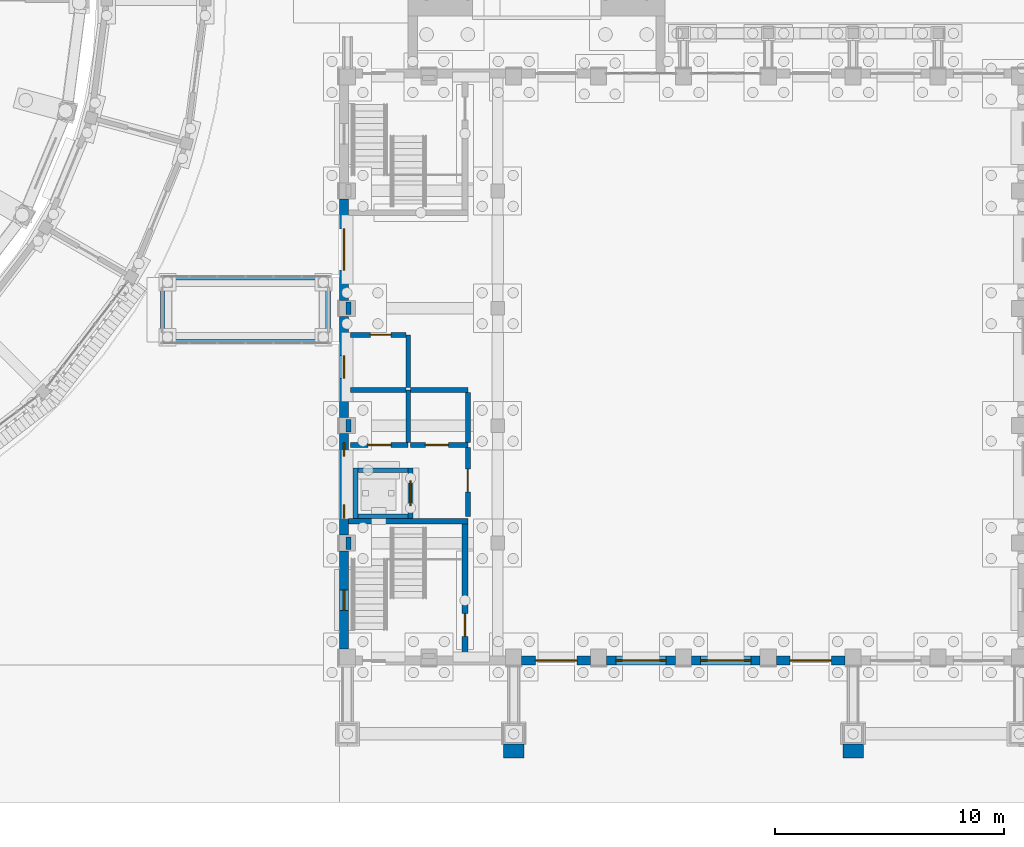
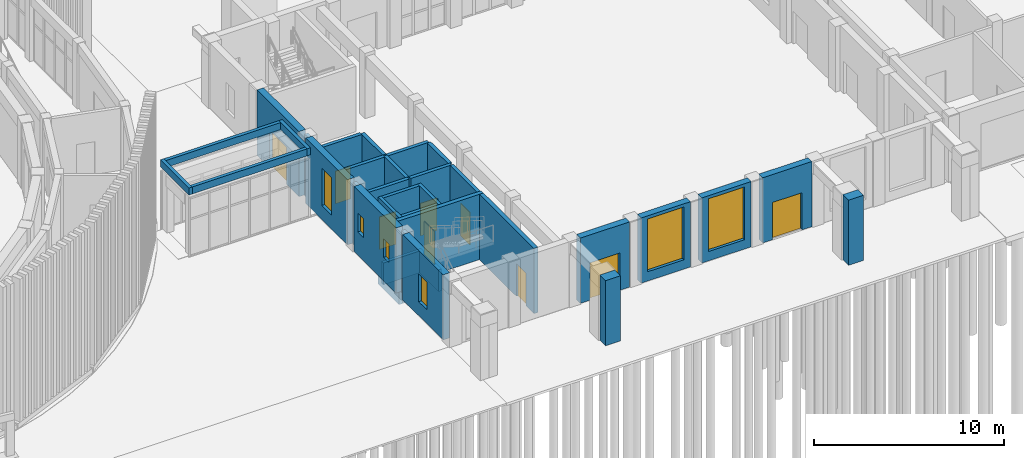
# One storey, part 63 of 112: 36 walls, 9 doors, 6 windows, 15 openings.
"""IFC4 building model written with IfcOpenShell, lengths in metres."""

from ifc_helpers import new_model, si_unit, direction, frame, frame_2d, origin, place, context, subcontext, project, spatial, rectangle, extrude, material, layer, layer_set, type_object, element, fill, save


model = new_model("IFC4")

# Units and contexts
model_context = context("Model", 3, precision=1e-05, world=origin(), true_north=direction((0.0, 1.0)))
body_context = subcontext(model_context, "Body", "Model", "MODEL_VIEW")
ifc_project = project(units=[si_unit("LENGTHUNIT", "METRE"), si_unit("AREAUNIT", "SQUARE_METRE"), si_unit("VOLUMEUNIT", "CUBIC_METRE"), si_unit("PLANEANGLEUNIT", "RADIAN"), si_unit("MASSUNIT", "GRAM", prefix="KILO")], contexts=[model_context])

# Site, building, storey
site_placement = place(None, origin())
site = spatial("IfcSite", under=ifc_project, at=site_placement, CompositionType="ELEMENT")
building_placement = place(site_placement, origin())
building = spatial("IfcBuilding", under=site, at=building_placement, Name="Wasatch Bagh Community Centre", CompositionType="ELEMENT")
storey_placement = place(building_placement, origin())
storey = spatial("IfcBuildingStorey", under=building, at=storey_placement, Name="L00", CompositionType="ELEMENT", Elevation=0.0)

# Walls
ifc_material_1 = material(Name="Concrete C40", Category="concrete")
ifc_layer_1 = layer(ifc_material_1, 0.60009765625)
ifc_layer_set_1 = layer_set([ifc_layer_1], Name="Concrete C40")
wall_type_1 = type_object("IfcWallType", Name="CL-W4", PredefinedType="STANDARD", material=ifc_layer_set_1)
for number, where, z_axis, x_axis, name in (
    (1, (73.14990234375, 2.25, 0.0), (0.0, 0.0, 1.0), (1.0, 0.0, 0.0), "CL-W4 pier buttress DHP2"),
    (2, (87.949951171875, 2.25, 0.0), (0.0, 0.0, 1.0), (1.0, 0.0, 0.0), "CL-W4 pier buttress DHP3"),
):
    element("IfcWall", number, at=place(storey_placement, frame(where, z_axis=z_axis, x_axis=x_axis)), inside=storey, type_object=wall_type_1, Name=name, PredefinedType="STANDARD", context=body_context, shape_type="SweptSolid", body=[
        extrude(rectangle(XDim=0.900146484375, YDim=0.60009765625, at=frame_2d((0.4501953125, 0.0))), origin(), (0.0, 0.0, 1.0), 4.199951171875),
    ])
ifc_layer_2 = layer(ifc_material_1, 0.199951171875)
ifc_layer_set_2 = layer_set([ifc_layer_2], Name="Concrete C40")
wall_type_2 = type_object("IfcWallType", Name="DH RC WALL 200 shear", PredefinedType="SHEAR", material=ifc_layer_set_2)
wall_1_placement = place(storey_placement, frame((66.699951171875, 12.39990234375, 0.0), z_axis=(0.0, 0.0, 1.0), x_axis=(0.0, 1.0, 0.0)))
element("IfcWall", 3, at=wall_1_placement, inside=storey, type_object=wall_type_2, Name="DH.core.LF4.L00.W", PredefinedType="SHEAR", context=body_context, shape_type="SweptSolid", body=[
    extrude(rectangle(XDim=2.2001953125, YDim=0.199951171875, at=frame_2d((1.10009765625, 0.0))), origin(), (0.0, 0.0, 1.0), 4.199951171875),
])

# Wall, opening, door
wall_2_placement = place(storey_placement, frame((69.10009765625, 12.39990234375, 0.0), z_axis=(0.0, 0.0, 1.0), x_axis=(0.0, 1.0, 0.0)))
wall_2 = element("IfcWall", 4, at=wall_2_placement, inside=storey, type_object=wall_type_2, Name="DH.core.LF4.L00.E", PredefinedType="SHEAR", context=body_context, shape_type="SweptSolid", body=[
    extrude(rectangle(XDim=2.2001953125, YDim=0.199951171875, at=frame_2d((1.10009765625, 0.0))), origin(), (0.0, 0.0, 1.0), 4.199951171875),
])
opening_1_placement = place(wall_2_placement, frame((0.550048828125, 0.0, 0.0)))
opening_1 = element("IfcOpeningElement", 5, at=opening_1_placement, cuts=wall_2, Name="Opening 0D-10", PredefinedType="OPENING", context=body_context, shape_type="SweptSolid", body=[
    extrude(rectangle(XDim=1.10009765625, YDim=2.10009765625, at=frame_2d((0.550048828125, 1.050048828125))), frame((0.0, 0.10986328125, 0.0), z_axis=(0.0, -1.0, 0.0), x_axis=(1.0, 0.0, 0.0)), (0.0, 0.0, 1.0), 0.219970703125),
])
ifc_material_2 = material(Name="Stainless steel", Category="steel")
door_type_1 = type_object("IfcDoorType", Name="DH door 1100x2100 landing", OperationType="SLIDING_TO_LEFT", PredefinedType="DOOR", material=ifc_material_2)
door_1_placement = place(opening_1_placement, origin())
door_1 = element("IfcDoor", 6, at=door_1_placement, inside=storey, type_object=door_type_1, Name="DH.door.L00.0D-10", OperationType="SLIDING_TO_LEFT", OverallHeight=2.10009765625, OverallWidth=1.10009765625, PredefinedType="DOOR", context=body_context, shape_type="SweptSolid", body=[
    extrude(rectangle(XDim=1.10009765625, YDim=2.10009765625, at=frame_2d((0.550048828125, 1.050048828125))), frame((0.0, 0.02490234375, 0.0), z_axis=(0.0, -1.0, 0.0), x_axis=(1.0, 0.0, 0.0)), (0.0, 0.0, 1.0), 0.050048828125),
])
fill(opening_1, door_1)

# Walls
for number, where, z_axis, x_axis, name in (
    (7, (66.800048828125, 12.5, 0.0), (0.0, 0.0, 1.0), (1.0, 0.0, 0.0), "DH.core.LF4.L00.S"),
    (8, (66.800048828125, 14.5, 0.0), (0.0, 0.0, 1.0), (1.0, 0.0, 0.0), "DH.core.LF4.L00.N"),
):
    element("IfcWall", number, at=place(storey_placement, frame(where, z_axis=z_axis, x_axis=x_axis)), inside=storey, type_object=wall_type_2, Name=name, PredefinedType="SHEAR", context=body_context, shape_type="SweptSolid", body=[
        extrude(rectangle(XDim=2.199951171875, YDim=0.199951171875, at=frame_2d((1.10009765625, 0.0))), origin(), (0.0, 0.0, 1.0), 4.199951171875),
    ])
for number, where, z_axis, x_axis, name in (
    (9, (66.699951171875, 12.39990234375, -1.39990234375), (0.0, 0.0, 1.0), (0.0, 1.0, 0.0), "DH.core.LF4.PIT.W"),
    (10, (69.10009765625, 12.39990234375, -1.39990234375), (0.0, 0.0, 1.0), (0.0, 1.0, 0.0), "DH.core.LF4.PIT.E"),
):
    element("IfcWall", number, at=place(storey_placement, frame(where, z_axis=z_axis, x_axis=x_axis)), inside=storey, type_object=wall_type_2, Name=name, PredefinedType="SHEAR", context=body_context, shape_type="SweptSolid", body=[
        extrude(rectangle(XDim=2.2001953125, YDim=0.199951171875, at=frame_2d((1.10009765625, 0.0))), origin(), (0.0, 0.0, 1.0), 1.39990234375),
    ])
for number, where, z_axis, x_axis, name in (
    (11, (66.800048828125, 12.5, -1.39990234375), (0.0, 0.0, 1.0), (1.0, 0.0, 0.0), "DH.core.LF4.PIT.S"),
    (12, (66.800048828125, 14.5, -1.39990234375), (0.0, 0.0, 1.0), (1.0, 0.0, 0.0), "DH.core.LF4.PIT.N"),
):
    element("IfcWall", number, at=place(storey_placement, frame(where, z_axis=z_axis, x_axis=x_axis)), inside=storey, type_object=wall_type_2, Name=name, PredefinedType="SHEAR", context=body_context, shape_type="SweptSolid", body=[
        extrude(rectangle(XDim=2.199951171875, YDim=0.199951171875, at=frame_2d((1.10009765625, 0.0))), origin(), (0.0, 0.0, 1.0), 1.39990234375),
    ])

# Wall, opening, door
ifc_layer_3 = layer(ifc_material_1, 0.25)
ifc_layer_set_3 = layer_set([ifc_layer_3], Name="Concrete C40")
wall_type_3 = type_object("IfcWallType", Name="DH RC WALL 250 shear", PredefinedType="SHEAR", material=ifc_layer_set_3)
wall_3_placement = place(storey_placement, frame((71.47509765625, 6.39990234375, 0.0), z_axis=(0.0, 0.0, 1.0), x_axis=(0.0, 1.0, 0.0)))
wall_3 = element("IfcWall", 13, at=wall_3_placement, inside=storey, type_object=wall_type_3, Name="DH.core.ST6.L00.E", PredefinedType="SHEAR", context=body_context, shape_type="SweptSolid", body=[
    extrude(rectangle(XDim=5.75, YDim=0.25, at=frame_2d((2.875, 0.0))), origin(), (0.0, 0.0, 1.0), 4.199951171875),
])
opening_2_placement = place(wall_3_placement, frame((0.85009765625, 0.0, 0.0)))
opening_2 = element("IfcOpeningElement", 14, at=opening_2_placement, cuts=wall_3, Name="Opening 0D-11", PredefinedType="OPENING", context=body_context, shape_type="SweptSolid", body=[
    extrude(rectangle(XDim=1.0, YDim=2.10009765625, at=frame_2d((0.5, 1.050048828125))), frame((0.0, 0.135009765625, 0.0), z_axis=(0.0, -1.0, 0.0), x_axis=(1.0, 0.0, 0.0)), (0.0, 0.0, 1.0), 0.27001953125),
])
ifc_material_3 = material(Name="Painted hardwood timber", Category="wood")
door_type_2 = type_object("IfcDoorType", Name="DH door 1000x2100 single", OperationType="SINGLE_SWING_LEFT", PredefinedType="DOOR", material=ifc_material_3)
door_2_placement = place(opening_2_placement, origin())
door_2 = element("IfcDoor", 15, at=door_2_placement, inside=storey, type_object=door_type_2, Name="DH.door.L00.0D-11", OperationType="SINGLE_SWING_LEFT", OverallHeight=2.10009765625, OverallWidth=1.0, PredefinedType="DOOR", context=body_context, shape_type="SweptSolid", body=[
    extrude(rectangle(XDim=1.0, YDim=2.10009765625, at=frame_2d((0.5, 1.050048828125))), frame((0.0, 0.02490234375, 0.0), z_axis=(0.0, -1.0, 0.0), x_axis=(1.0, 0.0, 0.0)), (0.0, 0.0, 1.0), 0.050048828125),
])
fill(opening_2, door_2)

# Wall
wall_4_placement = place(storey_placement, frame((66.39990234375, 12.27490234375, 0.0), z_axis=(0.0, 0.0, 1.0), x_axis=(1.0, 0.0, 0.0)))
element("IfcWall", 16, at=wall_4_placement, inside=storey, type_object=wall_type_3, Name="DH.core.ST6.L00.N", PredefinedType="SHEAR", context=body_context, shape_type="SweptSolid", body=[
    extrude(rectangle(XDim=5.2001953125, YDim=0.25, at=frame_2d((2.60009765625, 0.0))), origin(), (0.0, 0.0, 1.0), 4.199951171875),
])

# Wall, opening, door
ifc_layer_4 = layer(ifc_material_1, 0.39990234375)
ifc_layer_set_4 = layer_set([ifc_layer_4], Name="Concrete C40")
wall_type_4 = type_object("IfcWallType", Name="DH RC WALL 400 solidwall", PredefinedType="SOLIDWALL", material=ifc_layer_set_4)
wall_5_placement = place(storey_placement, frame((76.949951171875, 6.199951171875, 0.0), z_axis=(0.0, 0.0, 1.0), x_axis=(-1.0, 0.0, 0.0)))
wall_5 = element("IfcWall", 17, at=wall_5_placement, inside=storey, type_object=wall_type_4, Name="DH.wall.L00.03", PredefinedType="SOLIDWALL", context=body_context, shape_type="SweptSolid", body=[
    extrude(rectangle(XDim=3.0, YDim=0.39990234375, at=frame_2d((1.5, 0.0))), origin(), (0.0, 0.0, 1.0), 4.199951171875),
])
opening_3_placement = place(wall_5_placement, frame((0.60009765625, 0.0, 0.0)))
opening_3 = element("IfcOpeningElement", 18, at=opening_3_placement, cuts=wall_5, Name="Opening 0D-01", PredefinedType="OPENING", context=body_context, shape_type="SweptSolid", body=[
    extrude(rectangle(XDim=1.800048828125, YDim=2.39990234375, at=frame_2d((0.89990234375, 1.199951171875))), frame((0.0, 0.2099609375, 0.0), z_axis=(0.0, -1.0, 0.0), x_axis=(1.0, 0.0, 0.0)), (0.0, 0.0, 1.0), 0.419921875),
])
ifc_material_4 = material(Name="Aluminium frame and glass", Category="aluminium")
door_type_3 = type_object("IfcDoorType", Name="DH door 1800x2400 double", OperationType="DOUBLE_DOOR_SINGLE_SWING", PredefinedType="DOOR", material=ifc_material_4)
door_3_placement = place(opening_3_placement, origin())
door_3 = element("IfcDoor", 19, at=door_3_placement, inside=storey, type_object=door_type_3, Name="DH.door.L00.0D-01", OperationType="DOUBLE_DOOR_SINGLE_SWING", OverallHeight=2.39990234375, OverallWidth=1.800048828125, PredefinedType="DOOR", context=body_context, shape_type="SweptSolid", body=[
    extrude(rectangle(XDim=1.800048828125, YDim=2.39990234375, at=frame_2d((0.89990234375, 1.199951171875))), frame((0.0, 0.02490234375, 0.0), z_axis=(0.0, -1.0, 0.0), x_axis=(1.0, 0.0, 0.0)), (0.0, 0.0, 1.0), 0.050048828125),
])
fill(opening_3, door_3)

# Wall, opening, window
wall_6_placement = place(storey_placement, frame((80.64990234375, 6.199951171875, 0.0), z_axis=(0.0, 0.0, 1.0), x_axis=(-1.0, 0.0, 0.0)))
wall_6 = element("IfcWall", 20, at=wall_6_placement, inside=storey, type_object=wall_type_4, Name="DH.wall.L00.04", PredefinedType="SOLIDWALL", context=body_context, shape_type="SweptSolid", body=[
    extrude(rectangle(XDim=3.0, YDim=0.39990234375, at=frame_2d((1.5, 0.0))), origin(), (0.0, 0.0, 1.0), 4.199951171875),
])
opening_4_placement = place(wall_6_placement, frame((0.39990234375, 0.0, 0.60009765625)))
opening_4 = element("IfcOpeningElement", 21, at=opening_4_placement, cuts=wall_6, Name="Opening 0D-W01", PredefinedType="OPENING", context=body_context, shape_type="SweptSolid", body=[
    extrude(rectangle(XDim=2.199951171875, YDim=3.39990234375, at=frame_2d((1.10009765625, 1.699951171875))), frame((0.0, 0.2099609375, 0.0), z_axis=(0.0, -1.0, 0.0), x_axis=(1.0, 0.0, 0.0)), (0.0, 0.0, 1.0), 0.419921875),
])
ifc_material_5 = material(Name="Aluminium frame with double glazing", Category="aluminium")
window_type_1 = type_object("IfcWindowType", Name="DH window 2200x3400", PartitioningType="SINGLE_PANEL", PredefinedType="WINDOW", material=ifc_material_5)
window_1_placement = place(opening_4_placement, origin())
window_1 = element("IfcWindow", 22, at=window_1_placement, inside=storey, type_object=window_type_1, Name="DH.window.L00.0D-W01", OverallHeight=3.39990234375, OverallWidth=2.199951171875, PartitioningType="SINGLE_PANEL", PredefinedType="WINDOW", context=body_context, shape_type="SweptSolid", body=[
    extrude(rectangle(XDim=2.199951171875, YDim=3.39990234375, at=frame_2d((1.10009765625, 1.699951171875))), frame((0.0, 0.030029296875, 0.0), z_axis=(0.0, -1.0, 0.0), x_axis=(1.0, 0.0, 0.0)), (0.0, 0.0, 1.0), 0.06005859375),
])
fill(opening_4, window_1)

wall_7_placement = place(storey_placement, frame((84.35009765625, 6.199951171875, 0.0), z_axis=(0.0, 0.0, 1.0), x_axis=(-1.0, 0.0, 0.0)))
wall_7 = element("IfcWall", 23, at=wall_7_placement, inside=storey, type_object=wall_type_4, Name="DH.wall.L00.05", PredefinedType="SOLIDWALL", context=body_context, shape_type="SweptSolid", body=[
    extrude(rectangle(XDim=3.0, YDim=0.39990234375, at=frame_2d((1.5, 0.0))), origin(), (0.0, 0.0, 1.0), 4.199951171875),
])
opening_5_placement = place(wall_7_placement, frame((0.39990234375, 0.0, 0.60009765625)))
opening_5 = element("IfcOpeningElement", 24, at=opening_5_placement, cuts=wall_7, Name="Opening 0D-W02", PredefinedType="OPENING", context=body_context, shape_type="SweptSolid", body=[
    extrude(rectangle(XDim=2.199951171875, YDim=3.39990234375, at=frame_2d((1.10009765625, 1.699951171875))), frame((0.0, 0.2099609375, 0.0), z_axis=(0.0, -1.0, 0.0), x_axis=(1.0, 0.0, 0.0)), (0.0, 0.0, 1.0), 0.419921875),
])
window_2_placement = place(opening_5_placement, origin())
window_2 = element("IfcWindow", 25, at=window_2_placement, inside=storey, type_object=window_type_1, Name="DH.window.L00.0D-W02", OverallHeight=3.39990234375, OverallWidth=2.199951171875, PartitioningType="SINGLE_PANEL", PredefinedType="WINDOW", context=body_context, shape_type="SweptSolid", body=[
    extrude(rectangle(XDim=2.199951171875, YDim=3.39990234375, at=frame_2d((1.10009765625, 1.699951171875))), frame((0.0, 0.030029296875, 0.0), z_axis=(0.0, -1.0, 0.0), x_axis=(1.0, 0.0, 0.0)), (0.0, 0.0, 1.0), 0.06005859375),
])
fill(opening_5, window_2)

# Wall, opening, door
wall_8_placement = place(storey_placement, frame((88.050048828125, 6.199951171875, 0.0), z_axis=(0.0, 0.0, 1.0), x_axis=(-1.0, 0.0, 0.0)))
wall_8 = element("IfcWall", 26, at=wall_8_placement, inside=storey, type_object=wall_type_4, Name="DH.wall.L00.06", PredefinedType="SOLIDWALL", context=body_context, shape_type="SweptSolid", body=[
    extrude(rectangle(XDim=3.0, YDim=0.39990234375, at=frame_2d((1.5, 0.0))), origin(), (0.0, 0.0, 1.0), 4.199951171875),
])
opening_6_placement = place(wall_8_placement, frame((0.60009765625, 0.0, 0.0)))
opening_6 = element("IfcOpeningElement", 27, at=opening_6_placement, cuts=wall_8, Name="Opening 0D-02", PredefinedType="OPENING", context=body_context, shape_type="SweptSolid", body=[
    extrude(rectangle(XDim=1.800048828125, YDim=2.39990234375, at=frame_2d((0.89990234375, 1.199951171875))), frame((0.0, 0.2099609375, 0.0), z_axis=(0.0, -1.0, 0.0), x_axis=(1.0, 0.0, 0.0)), (0.0, 0.0, 1.0), 0.419921875),
])
door_4_placement = place(opening_6_placement, origin())
door_4 = element("IfcDoor", 28, at=door_4_placement, inside=storey, type_object=door_type_3, Name="DH.door.L00.0D-02", OperationType="DOUBLE_DOOR_SINGLE_SWING", OverallHeight=2.39990234375, OverallWidth=1.800048828125, PredefinedType="DOOR", context=body_context, shape_type="SweptSolid", body=[
    extrude(rectangle(XDim=1.800048828125, YDim=2.39990234375, at=frame_2d((0.89990234375, 1.199951171875))), frame((0.0, 0.02490234375, 0.0), z_axis=(0.0, -1.0, 0.0), x_axis=(1.0, 0.0, 0.0)), (0.0, 0.0, 1.0), 0.050048828125),
])
fill(opening_6, door_4)

# Wall, opening, window
wall_9_placement = place(storey_placement, frame((66.199951171875, 6.699951171875, 0.0), z_axis=(0.0, 0.0, 1.0), x_axis=(0.0, 1.0, 0.0)))
wall_9 = element("IfcWall", 29, at=wall_9_placement, inside=storey, type_object=wall_type_4, Name="DH.wall.L00.17", PredefinedType="SOLIDWALL", context=body_context, shape_type="SweptSolid", body=[
    extrude(rectangle(XDim=4.27001953125, YDim=0.39990234375, at=frame_2d((2.135009765625, 0.0))), origin(), (0.0, 0.0, 1.0), 4.199951171875),
])
opening_7_placement = place(wall_9_placement, frame((1.68505859375, 0.0, 0.89990234375)))
opening_7 = element("IfcOpeningElement", 30, at=opening_7_placement, cuts=wall_9, Name="Opening 0D-W07", PredefinedType="OPENING", context=body_context, shape_type="SweptSolid", body=[
    extrude(rectangle(XDim=0.89990234375, YDim=1.800048828125, at=frame_2d((0.449951171875, 0.89990234375))), frame((0.0, 0.2099609375, 0.0), z_axis=(0.0, -1.0, 0.0), x_axis=(1.0, 0.0, 0.0)), (0.0, 0.0, 1.0), 0.419921875),
])
window_type_2 = type_object("IfcWindowType", Name="DH window 900x1800", PartitioningType="SINGLE_PANEL", PredefinedType="WINDOW", material=ifc_material_5)
window_3_placement = place(opening_7_placement, origin())
window_3 = element("IfcWindow", 31, at=window_3_placement, inside=storey, type_object=window_type_2, Name="DH.window.L00.0D-W07", OverallHeight=1.800048828125, OverallWidth=0.89990234375, PartitioningType="SINGLE_PANEL", PredefinedType="WINDOW", context=body_context, shape_type="SweptSolid", body=[
    extrude(rectangle(XDim=0.89990234375, YDim=1.800048828125, at=frame_2d((0.449951171875, 0.89990234375))), frame((0.0, 0.030029296875, 0.0), z_axis=(0.0, -1.0, 0.0), x_axis=(1.0, 0.0, 0.0)), (0.0, 0.0, 1.0), 0.06005859375),
])
fill(opening_7, window_3)

# Wall, openings, windows
wall_10_placement = place(storey_placement, frame((66.199951171875, 11.669921875, 0.0), z_axis=(0.0, 0.0, 1.0), x_axis=(0.0, 1.0, 0.0)))
wall_10 = element("IfcWall", 32, at=wall_10_placement, inside=storey, type_object=wall_type_4, Name="DH.wall.L00.18", PredefinedType="SOLIDWALL", context=body_context, shape_type="SweptSolid", body=[
    extrude(rectangle(XDim=4.420166015625, YDim=0.39990234375, at=frame_2d((2.2099609375, 0.0))), origin(), (0.0, 0.0, 1.0), 4.199951171875),
])
opening_8_placement = place(wall_10_placement, frame((0.72998046875, 0.0, 1.5)))
opening_8 = element("IfcOpeningElement", 33, at=opening_8_placement, cuts=wall_10, Name="Opening 0D-W08", PredefinedType="OPENING", context=body_context, shape_type="SweptSolid", body=[
    extrude(rectangle(XDim=0.60009765625, YDim=1.199951171875, at=frame_2d((0.300048828125, 0.60009765625))), frame((0.0, 0.2099609375, 0.0), z_axis=(0.0, -1.0, 0.0), x_axis=(1.0, 0.0, 0.0)), (0.0, 0.0, 1.0), 0.419921875),
])
opening_9_placement = place(wall_10_placement, frame((3.429931640625, 0.0, 1.5)))
opening_9 = element("IfcOpeningElement", 34, at=opening_9_placement, cuts=wall_10, Name="Opening 0D-W09", PredefinedType="OPENING", context=body_context, shape_type="SweptSolid", body=[
    extrude(rectangle(XDim=0.60009765625, YDim=1.199951171875, at=frame_2d((0.300048828125, 0.60009765625))), frame((0.0, 0.2099609375, 0.0), z_axis=(0.0, -1.0, 0.0), x_axis=(1.0, 0.0, 0.0)), (0.0, 0.0, 1.0), 0.419921875),
])
window_type_3 = type_object("IfcWindowType", Name="DH window 600x1200", PartitioningType="SINGLE_PANEL", PredefinedType="WINDOW", material=ifc_material_5)
window_4_placement = place(opening_8_placement, origin())
window_4 = element("IfcWindow", 35, at=window_4_placement, inside=storey, type_object=window_type_3, Name="DH.window.L00.0D-W08", OverallHeight=1.199951171875, OverallWidth=0.60009765625, PartitioningType="SINGLE_PANEL", PredefinedType="WINDOW", context=body_context, shape_type="SweptSolid", body=[
    extrude(rectangle(XDim=0.60009765625, YDim=1.199951171875, at=frame_2d((0.300048828125, 0.60009765625))), frame((0.0, 0.030029296875, 0.0), z_axis=(0.0, -1.0, 0.0), x_axis=(1.0, 0.0, 0.0)), (0.0, 0.0, 1.0), 0.06005859375),
])
fill(opening_8, window_4)
window_5_placement = place(opening_9_placement, origin())
window_5 = element("IfcWindow", 36, at=window_5_placement, inside=storey, type_object=window_type_3, Name="DH.window.L00.0D-W09", OverallHeight=1.199951171875, OverallWidth=0.60009765625, PartitioningType="SINGLE_PANEL", PredefinedType="WINDOW", context=body_context, shape_type="SweptSolid", body=[
    extrude(rectangle(XDim=0.60009765625, YDim=1.199951171875, at=frame_2d((0.300048828125, 0.60009765625))), frame((0.0, 0.030029296875, 0.0), z_axis=(0.0, -1.0, 0.0), x_axis=(1.0, 0.0, 0.0)), (0.0, 0.0, 1.0), 0.06005859375),
])
fill(opening_9, window_5)

# Wall, opening, window
wall_11_placement = place(storey_placement, frame((66.199951171875, 16.7900390625, 0.0), z_axis=(0.0, 0.0, 1.0), x_axis=(0.0, 1.0, 0.0)))
wall_11 = element("IfcWall", 37, at=wall_11_placement, inside=storey, type_object=wall_type_4, Name="DH.wall.L00.19", PredefinedType="SOLIDWALL", context=body_context, shape_type="SweptSolid", body=[
    extrude(rectangle(XDim=4.419921875, YDim=0.39990234375, at=frame_2d((2.2099609375, 0.0))), origin(), (0.0, 0.0, 1.0), 4.199951171875),
])
opening_10_placement = place(wall_11_placement, frame((1.7099609375, 0.0, 0.89990234375)))
opening_10 = element("IfcOpeningElement", 38, at=opening_10_placement, cuts=wall_11, Name="Opening 0D-W10", PredefinedType="OPENING", context=body_context, shape_type="SweptSolid", body=[
    extrude(rectangle(XDim=1.0, YDim=2.39990234375, at=frame_2d((0.5, 1.199951171875))), frame((0.0, 0.2099609375, 0.0), z_axis=(0.0, -1.0, 0.0), x_axis=(1.0, 0.0, 0.0)), (0.0, 0.0, 1.0), 0.419921875),
])
window_type_4 = type_object("IfcWindowType", Name="DH window 1000x2400", PartitioningType="SINGLE_PANEL", PredefinedType="WINDOW", material=ifc_material_5)
window_6_placement = place(opening_10_placement, origin())
window_6 = element("IfcWindow", 39, at=window_6_placement, inside=storey, type_object=window_type_4, Name="DH.window.L00.0D-W10", OverallHeight=2.39990234375, OverallWidth=1.0, PartitioningType="SINGLE_PANEL", PredefinedType="WINDOW", context=body_context, shape_type="SweptSolid", body=[
    extrude(rectangle(XDim=1.0, YDim=2.39990234375, at=frame_2d((0.5, 1.199951171875))), frame((0.0, 0.030029296875, 0.0), z_axis=(0.0, -1.0, 0.0), x_axis=(1.0, 0.0, 0.0)), (0.0, 0.0, 1.0), 0.06005859375),
])
fill(opening_10, window_6)

# Wall, opening, door
wall_12_placement = place(storey_placement, frame((66.199951171875, 21.909912109375, 0.0), z_axis=(0.0, 0.0, 1.0), x_axis=(0.0, 1.0, 0.0)))
wall_12 = element("IfcWall", 40, at=wall_12_placement, inside=storey, type_object=wall_type_4, Name="DH.wall.L00.20", PredefinedType="SOLIDWALL", context=body_context, shape_type="SweptSolid", body=[
    extrude(rectangle(XDim=4.420166015625, YDim=0.39990234375, at=frame_2d((2.2099609375, 0.0))), origin(), (0.0, 0.0, 1.0), 4.199951171875),
])
opening_11_placement = place(wall_12_placement, frame((1.31005859375, 0.0, 0.0)))
opening_11 = element("IfcOpeningElement", 41, at=opening_11_placement, cuts=wall_12, Name="Opening 0D-07", PredefinedType="OPENING", context=body_context, shape_type="SweptSolid", body=[
    extrude(rectangle(XDim=1.800048828125, YDim=2.39990234375, at=frame_2d((0.89990234375, 1.199951171875))), frame((0.0, 0.2099609375, 0.0), z_axis=(0.0, -1.0, 0.0), x_axis=(1.0, 0.0, 0.0)), (0.0, 0.0, 1.0), 0.419921875),
])
door_5_placement = place(opening_11_placement, origin())
door_5 = element("IfcDoor", 42, at=door_5_placement, inside=storey, type_object=door_type_3, Name="DH.door.L00.0D-07", OperationType="DOUBLE_DOOR_SINGLE_SWING", OverallHeight=2.39990234375, OverallWidth=1.800048828125, PredefinedType="DOOR", context=body_context, shape_type="SweptSolid", body=[
    extrude(rectangle(XDim=1.800048828125, YDim=2.39990234375, at=frame_2d((0.89990234375, 1.199951171875))), frame((0.0, 0.02490234375, 0.0), z_axis=(0.0, -1.0, 0.0), x_axis=(1.0, 0.0, 0.0)), (0.0, 0.0, 1.0), 0.050048828125),
])
fill(opening_11, door_5)

# Walls
ifc_material_6 = material(Name="Hollow block masonry, medium weight (ASTM Grade N)", Category="masonry")
ifc_layer_5 = layer(ifc_material_6, 0.2099609375)
ifc_layer_set_5 = layer_set([ifc_layer_5], Name="Hollow block masonry, medium weight (ASTM Grade N)")
wall_type_5 = type_object("IfcWallType", Name="DH partition 210", PredefinedType="PARTITIONING", material=ifc_layer_set_5)
for number, where, z_axis, x_axis, name in (
    (43, (66.39990234375, 11.590087890625, 0.0), (0.0, 0.0, 1.0), (0.0, -1.0, 0.0), "DH.part.L00.001"),
    (44, (66.39990234375, 16.7099609375, 0.0), (0.0, 0.0, 1.0), (0.0, -1.0, 0.0), "DH.part.L00.002"),
    (45, (66.39990234375, 21.830078125, 0.0), (0.0, 0.0, 1.0), (0.0, -1.0, 0.0), "DH.part.L00.003"),
):
    element("IfcWall", number, at=place(storey_placement, frame(where, z_axis=z_axis, x_axis=x_axis)), inside=storey, type_object=wall_type_5, Name=name, PredefinedType="PARTITIONING", context=body_context, shape_type="SweptSolid", body=[
        extrude(rectangle(XDim=0.5400390625, YDim=0.2099609375, at=frame_2d((0.27001953125, 0.0))), origin(), (0.0, 0.0, 1.0), 3.97998046875),
    ])

# Wall, opening, door
wall_13_placement = place(storey_placement, frame((66.47998046875, 15.60009765625, 0.0), z_axis=(0.0, 0.0, 1.0), x_axis=(1.0, 0.0, 0.0)))
wall_13 = element("IfcWall", 46, at=wall_13_placement, inside=storey, type_object=wall_type_5, Name="DH.part.L00.005", PredefinedType="PARTITIONING", context=body_context, shape_type="SweptSolid", body=[
    extrude(rectangle(XDim=2.52001953125, YDim=0.2099609375, at=frame_2d((1.260009765625, 0.0))), origin(), (0.0, 0.0, 1.0), 3.97998046875),
])
opening_12_placement = place(wall_13_placement, frame((0.77001953125, 0.0, 0.0)))
opening_12 = element("IfcOpeningElement", 47, at=opening_12_placement, cuts=wall_13, Name="Opening 0D-12", PredefinedType="OPENING", context=body_context, shape_type="SweptSolid", body=[
    extrude(rectangle(XDim=1.0, YDim=2.10009765625, at=frame_2d((0.5, 1.050048828125))), frame((0.0, 0.114990234375, 0.0), z_axis=(0.0, -1.0, 0.0), x_axis=(1.0, 0.0, 0.0)), (0.0, 0.0, 1.0), 0.22998046875),
])
door_6_placement = place(opening_12_placement, origin())
door_6 = element("IfcDoor", 48, at=door_6_placement, inside=storey, type_object=door_type_2, Name="DH.door.L00.0D-12", OperationType="SINGLE_SWING_LEFT", OverallHeight=2.10009765625, OverallWidth=1.0, PredefinedType="DOOR", context=body_context, shape_type="SweptSolid", body=[
    extrude(rectangle(XDim=1.0, YDim=2.10009765625, at=frame_2d((0.5, 1.050048828125))), frame((0.0, 0.02490234375, 0.0), z_axis=(0.0, -1.0, 0.0), x_axis=(1.0, 0.0, 0.0)), (0.0, 0.0, 1.0), 0.050048828125),
])
fill(opening_12, door_6)

# Wall
wall_14_placement = place(storey_placement, frame((68.89501953125, 18.0, 0.0), z_axis=(0.0, 0.0, 1.0), x_axis=(-1.0, 0.0, 0.0)))
element("IfcWall", 49, at=wall_14_placement, inside=storey, type_object=wall_type_5, Name="DH.part.L00.006", PredefinedType="PARTITIONING", context=body_context, shape_type="SweptSolid", body=[
    extrude(rectangle(XDim=2.4150390625, YDim=0.2099609375, at=frame_2d((1.20751953125, 0.0))), origin(), (0.0, 0.0, 1.0), 3.97998046875),
])

# Wall, opening, door
wall_15_placement = place(storey_placement, frame((68.89501953125, 20.39990234375, 0.0), z_axis=(0.0, 0.0, 1.0), x_axis=(-1.0, 0.0, 0.0)))
wall_15 = element("IfcWall", 50, at=wall_15_placement, inside=storey, type_object=wall_type_5, Name="DH.part.L00.007", PredefinedType="PARTITIONING", context=body_context, shape_type="SweptSolid", body=[
    extrude(rectangle(XDim=2.4150390625, YDim=0.2099609375, at=frame_2d((1.20751953125, 0.0))), origin(), (0.0, 0.0, 1.0), 3.97998046875),
])
opening_13_placement = place(wall_15_placement, frame((0.64501953125, 0.0, 0.0)))
opening_13 = element("IfcOpeningElement", 51, at=opening_13_placement, cuts=wall_15, Name="Opening 0D-13", PredefinedType="OPENING", context=body_context, shape_type="SweptSolid", body=[
    extrude(rectangle(XDim=0.89990234375, YDim=2.10009765625, at=frame_2d((0.449951171875, 1.050048828125))), frame((0.0, 0.114990234375, 0.0), z_axis=(0.0, -1.0, 0.0), x_axis=(1.0, 0.0, 0.0)), (0.0, 0.0, 1.0), 0.22998046875),
])
door_type_4 = type_object("IfcDoorType", Name="DH door 900x2100 single", OperationType="SINGLE_SWING_LEFT", PredefinedType="DOOR", material=ifc_material_3)
door_7_placement = place(opening_13_placement, origin())
door_7 = element("IfcDoor", 52, at=door_7_placement, inside=storey, type_object=door_type_4, Name="DH.door.L00.0D-13", OperationType="SINGLE_SWING_LEFT", OverallHeight=2.10009765625, OverallWidth=0.89990234375, PredefinedType="DOOR", context=body_context, shape_type="SweptSolid", body=[
    extrude(rectangle(XDim=0.89990234375, YDim=2.10009765625, at=frame_2d((0.449951171875, 1.050048828125))), frame((0.0, 0.02490234375, 0.0), z_axis=(0.0, -1.0, 0.0), x_axis=(1.0, 0.0, 0.0)), (0.0, 0.0, 1.0), 0.050048828125),
])
fill(opening_13, door_7)

# Walls
for number, where, z_axis, x_axis, name in (
    (53, (69.0, 15.705078125, 0.0), (0.0, 0.0, 1.0), (0.0, 1.0, 0.0), "DH.part.L00.008"),
    (54, (69.0, 18.10498046875, 0.0), (0.0, 0.0, 1.0), (0.0, 1.0, 0.0), "DH.part.L00.009"),
):
    element("IfcWall", number, at=place(storey_placement, frame(where, z_axis=z_axis, x_axis=x_axis)), inside=storey, type_object=wall_type_5, Name=name, PredefinedType="PARTITIONING", context=body_context, shape_type="SweptSolid", body=[
        extrude(rectangle(XDim=2.294921875, YDim=0.2099609375, at=frame_2d((1.1474609375, 0.0))), origin(), (0.0, 0.0, 1.0), 3.97998046875),
    ])

# Wall, opening, door
wall_16_placement = place(storey_placement, frame((69.10498046875, 15.60009765625, 0.0), z_axis=(0.0, 0.0, 1.0), x_axis=(1.0, 0.0, 0.0)))
wall_16 = element("IfcWall", 55, at=wall_16_placement, inside=storey, type_object=wall_type_5, Name="DH.part.L00.010", PredefinedType="PARTITIONING", context=body_context, shape_type="SweptSolid", body=[
    extrude(rectangle(XDim=2.4951171875, YDim=0.2099609375, at=frame_2d((1.24755859375, 0.0))), origin(), (0.0, 0.0, 1.0), 3.97998046875),
])
opening_14_placement = place(wall_16_placement, frame((0.64501953125, 0.0, 0.0)))
opening_14 = element("IfcOpeningElement", 56, at=opening_14_placement, cuts=wall_16, Name="Opening 0D-14", PredefinedType="OPENING", context=body_context, shape_type="SweptSolid", body=[
    extrude(rectangle(XDim=1.0, YDim=2.10009765625, at=frame_2d((0.5, 1.050048828125))), frame((0.0, 0.114990234375, 0.0), z_axis=(0.0, -1.0, 0.0), x_axis=(1.0, 0.0, 0.0)), (0.0, 0.0, 1.0), 0.22998046875),
])
door_8_placement = place(opening_14_placement, origin())
door_8 = element("IfcDoor", 57, at=door_8_placement, inside=storey, type_object=door_type_2, Name="DH.door.L00.0D-14", OperationType="SINGLE_SWING_LEFT", OverallHeight=2.10009765625, OverallWidth=1.0, PredefinedType="DOOR", context=body_context, shape_type="SweptSolid", body=[
    extrude(rectangle(XDim=1.0, YDim=2.10009765625, at=frame_2d((0.5, 1.050048828125))), frame((0.0, 0.02490234375, 0.0), z_axis=(0.0, -1.0, 0.0), x_axis=(1.0, 0.0, 0.0)), (0.0, 0.0, 1.0), 0.050048828125),
])
fill(opening_14, door_8)

# Wall
wall_17_placement = place(storey_placement, frame((69.10498046875, 18.0, 0.0), z_axis=(0.0, 0.0, 1.0), x_axis=(1.0, 0.0, 0.0)))
element("IfcWall", 58, at=wall_17_placement, inside=storey, type_object=wall_type_5, Name="DH.part.L00.011", PredefinedType="PARTITIONING", context=body_context, shape_type="SweptSolid", body=[
    extrude(rectangle(XDim=2.4951171875, YDim=0.2099609375, at=frame_2d((1.24755859375, 0.0))), origin(), (0.0, 0.0, 1.0), 3.97998046875),
])

# Wall, opening, door
wall_18_placement = place(storey_placement, frame((71.60009765625, 12.47998046875, 0.0), z_axis=(0.0, 0.0, 1.0), x_axis=(0.0, 1.0, 0.0)))
wall_18 = element("IfcWall", 59, at=wall_18_placement, inside=storey, type_object=wall_type_5, Name="DH.part.L00.014", PredefinedType="PARTITIONING", context=body_context, shape_type="SweptSolid", body=[
    extrude(rectangle(XDim=3.01513671875, YDim=0.2099609375, at=frame_2d((1.507568359375, 0.0))), origin(), (0.0, 0.0, 1.0), 3.97998046875),
])
opening_15_placement = place(wall_18_placement, frame((1.070068359375, 0.0, 0.0)))
opening_15 = element("IfcOpeningElement", 60, at=opening_15_placement, cuts=wall_18, Name="Opening 0D-16", PredefinedType="OPENING", context=body_context, shape_type="SweptSolid", body=[
    extrude(rectangle(XDim=1.0, YDim=2.10009765625, at=frame_2d((0.5, 1.050048828125))), frame((0.0, 0.114990234375, 0.0), z_axis=(0.0, -1.0, 0.0), x_axis=(1.0, 0.0, 0.0)), (0.0, 0.0, 1.0), 0.22998046875),
])
door_9_placement = place(opening_15_placement, origin())
door_9 = element("IfcDoor", 61, at=door_9_placement, inside=storey, type_object=door_type_2, Name="DH.door.L00.0D-16", OperationType="SINGLE_SWING_LEFT", OverallHeight=2.10009765625, OverallWidth=1.0, PredefinedType="DOOR", context=body_context, shape_type="SweptSolid", body=[
    extrude(rectangle(XDim=1.0, YDim=2.10009765625, at=frame_2d((0.5, 1.050048828125))), frame((0.0, 0.02490234375, 0.0), z_axis=(0.0, -1.0, 0.0), x_axis=(1.0, 0.0, 0.0)), (0.0, 0.0, 1.0), 0.050048828125),
])
fill(opening_15, door_9)

# Walls
wall_19_placement = place(storey_placement, frame((71.60009765625, 15.705078125, 0.0), z_axis=(0.0, 0.0, 1.0), x_axis=(0.0, 1.0, 0.0)))
element("IfcWall", 62, at=wall_19_placement, inside=storey, type_object=wall_type_5, Name="DH.part.L00.015", PredefinedType="PARTITIONING", context=body_context, shape_type="SweptSolid", body=[
    extrude(rectangle(XDim=2.18994140625, YDim=0.2099609375, at=frame_2d((1.094970703125, 0.0))), origin(), (0.0, 0.0, 1.0), 3.97998046875),
])
ifc_material_7 = material(Name="Concrete C35", Category="concrete")
ifc_layer_6 = layer(ifc_material_7, 0.199951171875)
ifc_layer_set_6 = layer_set([ifc_layer_6], Name="Concrete C35")
wall_type_6 = type_object("IfcWallType", Name="PA-W1", PredefinedType="PARAPET", material=ifc_layer_set_6)
for number, where, z_axis, x_axis, name in (
    (63, (58.300048828125, 20.0, 4.0), (0.0, 0.0, 1.0), (0.0, 1.0, 0.0), "PA-W1 roof parapet PA2.1"),
    (64, (65.5, 20.0, 4.0), (0.0, 0.0, 1.0), (0.0, 1.0, 0.0), "PA-W1 roof parapet PA2.2"),
):
    element("IfcWall", number, at=place(storey_placement, frame(where, z_axis=z_axis, x_axis=x_axis)), inside=storey, type_object=wall_type_6, Name=name, PredefinedType="PARAPET", context=body_context, shape_type="SweptSolid", body=[
        extrude(rectangle(XDim=3.0, YDim=0.199951171875, at=frame_2d((1.5, 0.0))), origin(), (0.0, 0.0, 1.0), 0.449951171875),
    ])
for number, where, z_axis, x_axis, name in (
    (65, (58.39990234375, 20.10009765625, 4.0), (0.0, 0.0, 1.0), (1.0, 0.0, 0.0), "PA-W1 roof parapet PA2.3"),
    (66, (58.39990234375, 22.89990234375, 4.0), (0.0, 0.0, 1.0), (1.0, 0.0, 0.0), "PA-W1 roof parapet PA2.4"),
):
    element("IfcWall", number, at=place(storey_placement, frame(where, z_axis=z_axis, x_axis=x_axis)), inside=storey, type_object=wall_type_6, Name=name, PredefinedType="PARAPET", context=body_context, shape_type="SweptSolid", body=[
        extrude(rectangle(XDim=7.0, YDim=0.199951171875, at=frame_2d((3.5, 0.0))), origin(), (0.0, 0.0, 1.0), 0.449951171875),
    ])

save(model, "model.ifc")
